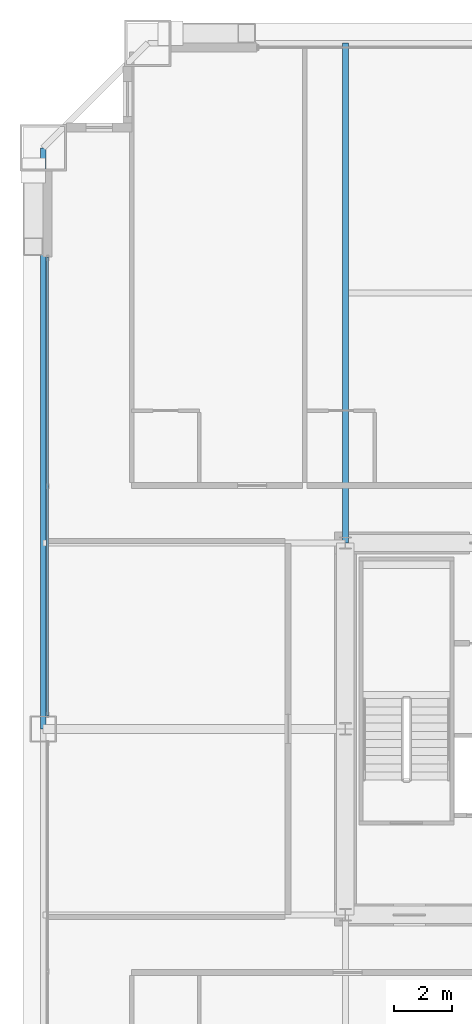
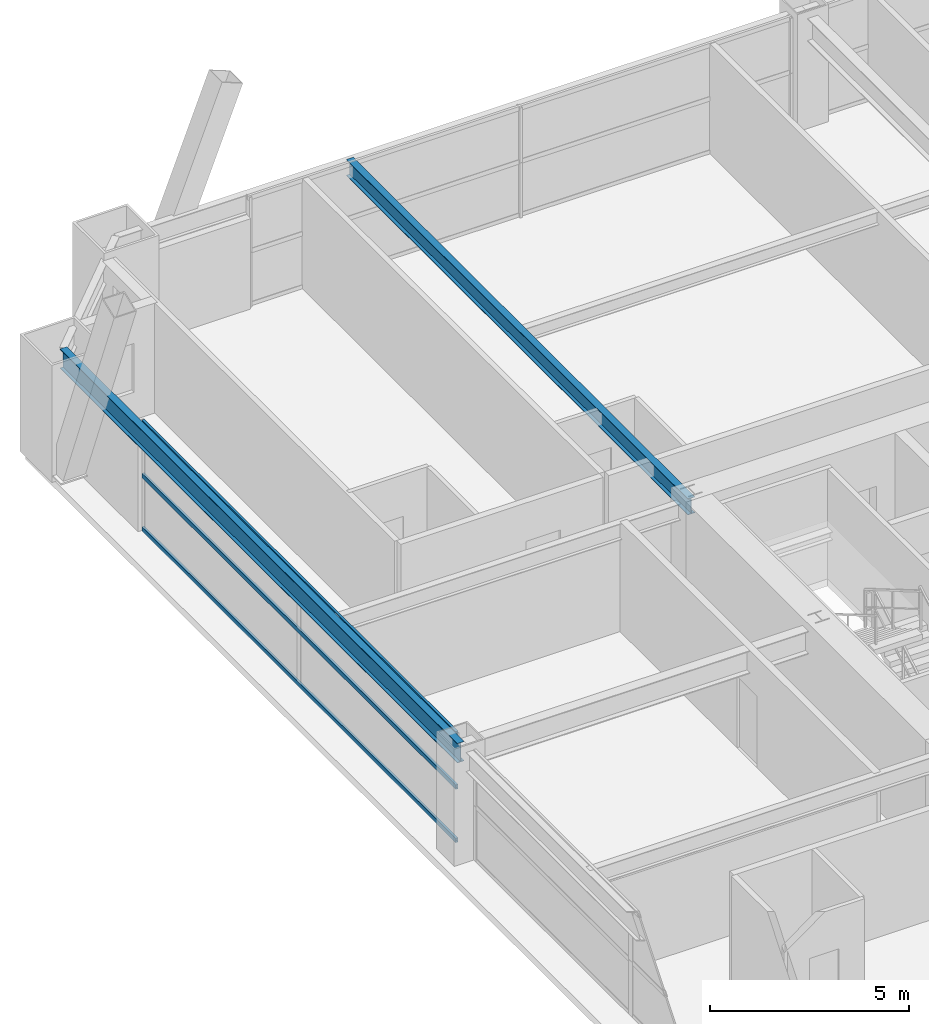
# One storey, part 22 of 41: 3 members, 2 beams, 1 element without a shape of its own.
"""IFC4 building model written with IfcOpenShell, lengths in metres."""

from ifc_helpers import new_model, si_unit, direction, frame, origin, origin_2d, place, context, subcontext, project, spatial, hollow_rectangle, i_section, extrude, source, transform, mapped, material, layer, layer_set, material_profile, profile_set, type_object, element, aggregate, save


model = new_model("IFC4")

# Units and contexts
model_context = context("Model", 3, precision=1e-05, world=origin(), true_north=direction((0.0, 1.0)))
body_context = subcontext(model_context, "Body", "Model", "MODEL_VIEW")
ifc_project = project(units=[si_unit("LENGTHUNIT", "METRE"), si_unit("AREAUNIT", "SQUARE_METRE"), si_unit("VOLUMEUNIT", "CUBIC_METRE"), si_unit("PLANEANGLEUNIT", "RADIAN"), si_unit("MASSUNIT", "GRAM", prefix="KILO"), si_unit("THERMODYNAMICTEMPERATUREUNIT", "KELVIN"), si_unit("POWERUNIT", "WATT")], contexts=[model_context])

# Site, building, storey
site_placement = place(None, origin())
site = spatial("IfcSite", under=ifc_project, at=site_placement, CompositionType="ELEMENT")
building_placement = place(site_placement, origin())
building = spatial("IfcBuilding", under=site, at=building_placement, Name="Yuzanri Waterfront Tower", CompositionType="ELEMENT")
storey_placement = place(building_placement, frame((0.0, 0.0, 122.60009765625)))
storey = spatial("IfcBuildingStorey", under=building, at=storey_placement, Name="L32", CompositionType="ELEMENT", Elevation=122.60009765625)

# Beams
ifc_material_1 = material(Name="Steel Q355B", Category="steel")
ifc_material_profile_1 = material_profile(ifc_material_1, i_section(OverallWidth=0.199951171875, OverallDepth=0.60009765625, WebThickness=0.010986328125, FlangeThickness=0.01708984375, at=origin_2d()), Name="HN 600x200x11x17")
ifc_profile_set_1 = profile_set([ifc_material_profile_1], Name="Steel Q355B")
beam_type_1 = type_object("IfcBeamType", Name="Perimeter Spandrel Q355B HN 600x200", PredefinedType="SPANDREL", material=ifc_profile_set_1)
shared_shape_1 = source(origin(), body_context, "Body", "SweptSolid", [
    extrude(i_section(OverallWidth=0.199951171875, OverallDepth=0.60009765625, WebThickness=0.010986328125, FlangeThickness=0.01708984375, at=origin_2d()), origin(), (0.0, 0.0, 1.0), 20.0),
])
beam_1_placement = place(storey_placement, frame((13.39990234375, 45.800048828125, 3.079833984375), z_axis=(0.0, -1.0, 0.0), x_axis=(1.0, 0.0, 0.0)))
element("IfcBeam", 1, at=beam_1_placement, inside=storey, type_object=beam_type_1, Name="L32 Perimeter Spandrel W3-W2", PredefinedType="SPANDREL", context=body_context, shape_type="MappedRepresentation", body=[
    mapped(shared_shape_1, transform((0.0, 0.0, 0.0), scale=1.0)),
])
ifc_material_2 = material(Name="Steel Q355B", Category="steel")
ifc_material_profile_2 = material_profile(ifc_material_2, i_section(OverallWidth=0.199951171875, OverallDepth=0.5, WebThickness=0.010009765625, FlangeThickness=0.01611328125, at=origin_2d()), Name="HN 500x200x10x16")
ifc_profile_set_2 = profile_set([ifc_material_profile_2], Name="Steel Q355B")
beam_type_2 = type_object("IfcBeamType", Name="Secondary Floor Beam Q355B HN 500x200", PredefinedType="BEAM", material=ifc_profile_set_2)
shared_shape_2 = source(origin(), body_context, "Body", "SweptSolid", [
    extrude(i_section(OverallWidth=0.199951171875, OverallDepth=0.5, WebThickness=0.010009765625, FlangeThickness=0.01611328125, at=origin_2d()), origin(), (0.0, 0.0, 1.0), 17.199951171875),
])
beam_2_placement = place(storey_placement, frame((23.800048828125, 32.199951171875, 3.1298828125), z_axis=(0.0, 1.0, 0.0), x_axis=(-1.0, 0.0, 0.0)))
element("IfcBeam", 2, at=beam_2_placement, inside=storey, type_object=beam_type_2, Name="L32 North-West Core Line Beam", PredefinedType="BEAM", context=body_context, shape_type="MappedRepresentation", body=[
    mapped(shared_shape_2, transform((0.0, 0.0, 0.0), scale=1.0)),
])

# Curtain wall, members
ifc_material_3 = material(Name="Anodized Architectural Bronze", Category="metal")
ifc_layer = layer(ifc_material_3, 0.159912109375)
ifc_layer_set = layer_set([ifc_layer], Name="Anodized Architectural Bronze")
curtain_wall_type = type_object("IfcCurtainWallType", Name="Anodized Bronze Hotel Upper-Tier Solar-Control Unitized Curtain Wall 7800", PredefinedType="NOTDEFINED", material=ifc_layer_set)
curtain_wall_placement = place(storey_placement, origin())
curtain_wall = element("IfcCurtainWall", 3, at=curtain_wall_placement, inside=storey, type_object=curtain_wall_type, Name="L32 Curtain Wall CW-L32-WR", PredefinedType="NOTDEFINED")
ifc_material_4 = material(Name="Anodized Architectural Bronze", Category="metal")
ifc_material_profile_3 = material_profile(ifc_material_4, hollow_rectangle(XDim=0.070068359375, YDim=0.135009765625, WallThickness=0.00341796875, at=origin_2d()), Name="CWT 70x135")
ifc_profile_set_3 = profile_set([ifc_material_profile_3], Name="Anodized Architectural Bronze")
member_type = type_object("IfcMemberType", Name="Anodized Bronze Standard Curtain-Wall Transom 70x135", PredefinedType="USERDEFINED", material=ifc_profile_set_3)
shared_shape_3 = source(origin(), body_context, "Body", "SweptSolid", [
    extrude(hollow_rectangle(XDim=0.070068359375, YDim=0.135009765625, WallThickness=0.00341796875, at=origin_2d()), origin(), (0.0, 0.0, 1.0), 15.800048828125),
])
member_1_placement = place(storey_placement, frame((13.550048828125, 26.25, 0.0498046875), z_axis=(0.0, 1.0, 0.0), x_axis=(-1.0, 0.0, 0.0)))
member_1 = element("IfcMember", 4, at=member_1_placement, type_object=member_type, Name="CW-L32-WR Transom 1", ObjectType="TRANSOM", PredefinedType="USERDEFINED", context=body_context, shape_type="MappedRepresentation", body=[
    mapped(shared_shape_3, transform((0.0, 0.0, 0.0), scale=1.0)),
])
member_2_placement = place(storey_placement, frame((13.550048828125, 26.25, 1.68994140625), z_axis=(0.0, 1.0, 0.0), x_axis=(-1.0, 0.0, 0.0)))
member_2 = element("IfcMember", 5, at=member_2_placement, type_object=member_type, Name="CW-L32-WR Transom 2", ObjectType="TRANSOM", PredefinedType="USERDEFINED", context=body_context, shape_type="MappedRepresentation", body=[
    mapped(shared_shape_3, transform((0.0, 0.0, 0.0), scale=1.0)),
])
member_3_placement = place(storey_placement, frame((13.550048828125, 26.25, 3.329833984375), z_axis=(0.0, 1.0, 0.0), x_axis=(-1.0, 0.0, 0.0)))
member_3 = element("IfcMember", 6, at=member_3_placement, type_object=member_type, Name="CW-L32-WR Transom 3", ObjectType="TRANSOM", PredefinedType="USERDEFINED", context=body_context, shape_type="MappedRepresentation", body=[
    mapped(shared_shape_3, transform((0.0, 0.0, 0.0), scale=1.0)),
])
aggregate(curtain_wall, [member_1, member_2, member_3])

save(model, "model.ifc")
